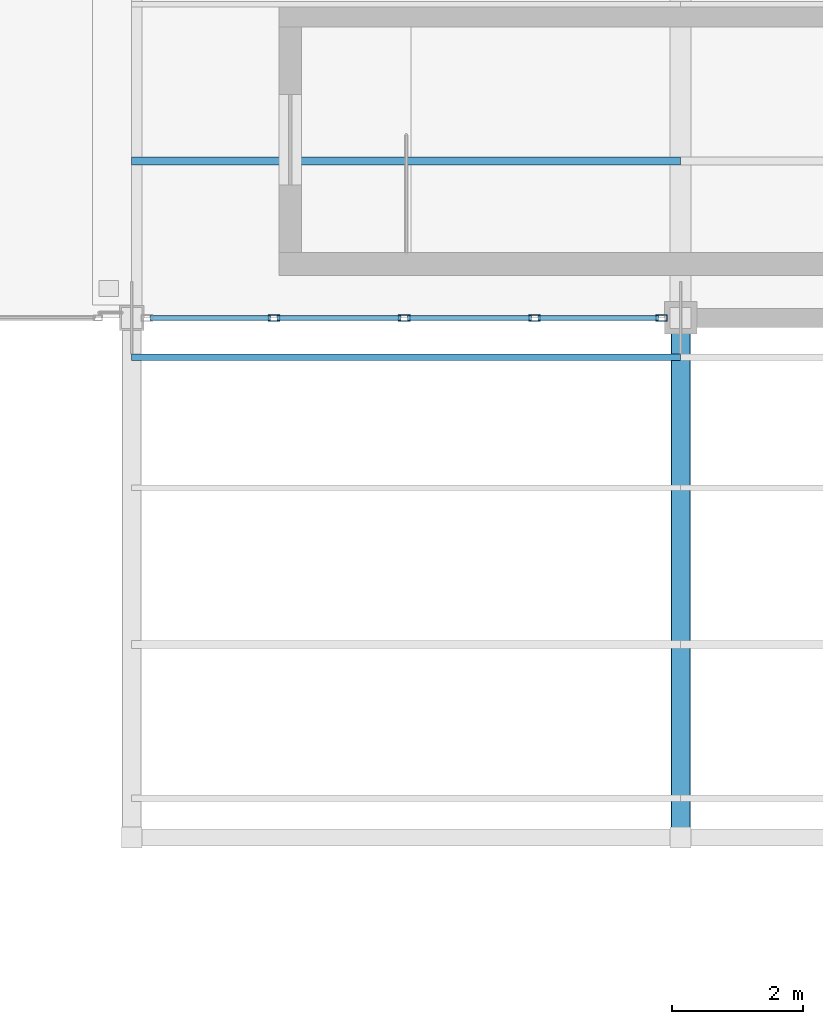
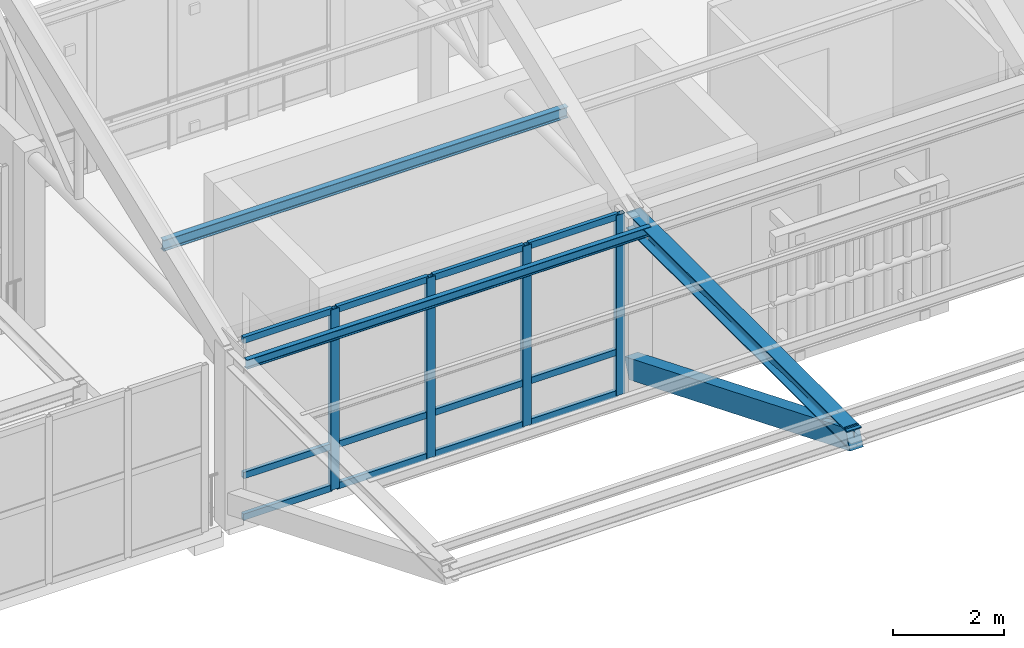
# One storey, part 62 of 217: 20 members, 1 element without a shape of its own.
"""IFC4 building model written with IfcOpenShell, lengths in metres."""

from ifc_helpers import new_model, si_unit, direction, frame, origin, origin_2d, place, context, subcontext, project, spatial, rectangle, hollow_rectangle, i_section, extrude, material, layer, layer_set, material_profile, profile_set, type_object, element, aggregate, save


model = new_model("IFC4")

# Units and contexts
model_context = context("Model", 3, precision=1e-05, world=origin(), true_north=direction((0.0, 1.0)))
body_context = subcontext(model_context, "Body", "Model", "MODEL_VIEW")
ifc_project = project(units=[si_unit("LENGTHUNIT", "METRE"), si_unit("AREAUNIT", "SQUARE_METRE"), si_unit("VOLUMEUNIT", "CUBIC_METRE"), si_unit("PLANEANGLEUNIT", "RADIAN"), si_unit("MASSUNIT", "GRAM", prefix="KILO")], contexts=[model_context])

# Site, building, storey
site_placement = place(None, origin())
site = spatial("IfcSite", under=ifc_project, at=site_placement, CompositionType="ELEMENT")
building_placement = place(site_placement, origin())
building = spatial("IfcBuilding", under=site, at=building_placement, Name="Mazaris Harbour Polytechnic", CompositionType="ELEMENT")
storey_placement = place(building_placement, frame((0.0, 0.0, 9.60009765625)))
storey = spatial("IfcBuildingStorey", under=building, at=storey_placement, Name="L02", CompositionType="ELEMENT", Elevation=9.60009765625)

# Curtain wall, members
ifc_material_1 = material(Name="Anodised Bronze Aluminium and Low-E Glass", Category="aluminium")
ifc_layer = layer(ifc_material_1, 0.14990234375, Name="Anodised Bronze Aluminium and Low-E Glass")
ifc_layer_set = layer_set([ifc_layer], Name="Anodised Bronze Aluminium and Low-E Glass")
curtain_wall_type = type_object("IfcCurtainWallType", Name="Workshop Clerestory Curtain Wall", PredefinedType="NOTDEFINED", material=ifc_layer_set)
curtain_wall_placement = place(storey_placement, origin())
curtain_wall = element("IfcCurtainWall", 1, at=curtain_wall_placement, inside=storey, type_object=curtain_wall_type, Name="V1 L02 Curtain Wall 25", PredefinedType="NOTDEFINED")
ifc_material_2 = material(Name="Anodised Bronze Steel S355", Category="steel")
ifc_material_profile_1 = material_profile(ifc_material_2, hollow_rectangle(XDim=0.10009765625, YDim=0.179931640625, WallThickness=0.008056640625, at=origin_2d()), Name="RHS 100x180x8.0")
ifc_profile_set_1 = profile_set([ifc_material_profile_1], Name="Anodised Bronze Steel S355")
member_type_1 = type_object("IfcMemberType", Name="Curtain Mullion RHS100x180", PredefinedType="MULLION", material=ifc_profile_set_1)
member_1_placement = place(storey_placement, frame((62.10791015625, 75.60009765625, 0.0), z_axis=(0.0, 0.0, 1.0), x_axis=(0.0, -1.0, 0.0)))
member_1 = element("IfcMember", 2, at=member_1_placement, type_object=member_type_1, Name="CW-04 mullion 1", PredefinedType="MULLION", context=body_context, shape_type="SweptSolid", body=[
    extrude(hollow_rectangle(XDim=0.10009765625, YDim=0.179931640625, WallThickness=0.008056640625, at=origin_2d()), origin(), (0.0, 0.0, 1.0), 3.9599609375),
])
member_2_placement = place(storey_placement, frame((60.1640625, 75.60009765625, 0.0), z_axis=(0.0, 0.0, 1.0), x_axis=(0.0, -1.0, 0.0)))
member_2 = element("IfcMember", 3, at=member_2_placement, type_object=member_type_1, Name="CW-04 mullion 2", PredefinedType="MULLION", context=body_context, shape_type="SweptSolid", body=[
    extrude(hollow_rectangle(XDim=0.10009765625, YDim=0.179931640625, WallThickness=0.008056640625, at=origin_2d()), origin(), (0.0, 0.0, 1.0), 3.9599609375),
])
member_3_placement = place(storey_placement, frame((58.169921875, 75.60009765625, 0.0), z_axis=(0.0, 0.0, 1.0), x_axis=(0.0, -1.0, 0.0)))
member_3 = element("IfcMember", 4, at=member_3_placement, type_object=member_type_1, Name="CW-04 mullion 3", PredefinedType="MULLION", context=body_context, shape_type="SweptSolid", body=[
    extrude(hollow_rectangle(XDim=0.10009765625, YDim=0.179931640625, WallThickness=0.008056640625, at=origin_2d()), origin(), (0.0, 0.0, 1.0), 3.9599609375),
])
member_4_placement = place(storey_placement, frame((56.176025390625, 75.60009765625, 0.0), z_axis=(0.0, 0.0, 1.0), x_axis=(0.0, -1.0, 0.0)))
member_4 = element("IfcMember", 5, at=member_4_placement, type_object=member_type_1, Name="CW-04 mullion 4", PredefinedType="MULLION", context=body_context, shape_type="SweptSolid", body=[
    extrude(hollow_rectangle(XDim=0.10009765625, YDim=0.179931640625, WallThickness=0.008056640625, at=origin_2d()), origin(), (0.0, 0.0, 1.0), 3.9599609375),
])
ifc_material_3 = material(Name="Anodised Bronze Steel S355", Category="steel")
ifc_material_profile_2 = material_profile(ifc_material_3, hollow_rectangle(XDim=0.080078125, YDim=0.139892578125, WallThickness=0.00634765625, at=origin_2d()), Name="RHS 80x140x6.3")
ifc_profile_set_2 = profile_set([ifc_material_profile_2], Name="Anodised Bronze Steel S355")
member_type_2 = type_object("IfcMemberType", Name="Curtain Transom RHS80x140", PredefinedType="USERDEFINED", material=ifc_profile_set_2)
member_5_placement = place(storey_placement, frame((62.05810546875, 75.60009765625, 0.039794921875), z_axis=(-1.0, 0.0, 0.0), x_axis=(0.0, -1.0, 0.0)))
member_5 = element("IfcMember", 6, at=member_5_placement, type_object=member_type_2, Name="CW-04 transom 1.1", ObjectType="TRANSOM", PredefinedType="USERDEFINED", context=body_context, shape_type="SweptSolid", body=[
    extrude(hollow_rectangle(XDim=0.080078125, YDim=0.139892578125, WallThickness=0.00634765625, at=origin_2d()), origin(), (0.0, 0.0, 1.0), 1.843994140625),
])
member_6_placement = place(storey_placement, frame((62.05810546875, 75.60009765625, 0.949951171875), z_axis=(-1.0, 0.0, 0.0), x_axis=(0.0, -1.0, 0.0)))
member_6 = element("IfcMember", 7, at=member_6_placement, type_object=member_type_2, Name="CW-04 transom 1.2", ObjectType="TRANSOM", PredefinedType="USERDEFINED", context=body_context, shape_type="SweptSolid", body=[
    extrude(hollow_rectangle(XDim=0.080078125, YDim=0.139892578125, WallThickness=0.00634765625, at=origin_2d()), origin(), (0.0, 0.0, 1.0), 1.843994140625),
])
member_7_placement = place(storey_placement, frame((62.05810546875, 75.60009765625, 3.919921875), z_axis=(-1.0, 0.0, 0.0), x_axis=(0.0, -1.0, 0.0)))
member_7 = element("IfcMember", 8, at=member_7_placement, type_object=member_type_2, Name="CW-04 transom 1.3", ObjectType="TRANSOM", PredefinedType="USERDEFINED", context=body_context, shape_type="SweptSolid", body=[
    extrude(hollow_rectangle(XDim=0.080078125, YDim=0.139892578125, WallThickness=0.00634765625, at=origin_2d()), origin(), (0.0, 0.0, 1.0), 1.843994140625),
])
member_8_placement = place(storey_placement, frame((60.114013671875, 75.60009765625, 0.039794921875), z_axis=(-1.0, 0.0, 0.0), x_axis=(0.0, -1.0, 0.0)))
member_8 = element("IfcMember", 9, at=member_8_placement, type_object=member_type_2, Name="CW-04 transom 2.1", ObjectType="TRANSOM", PredefinedType="USERDEFINED", context=body_context, shape_type="SweptSolid", body=[
    extrude(hollow_rectangle(XDim=0.080078125, YDim=0.139892578125, WallThickness=0.00634765625, at=origin_2d()), origin(), (0.0, 0.0, 1.0), 1.89404296875),
])
member_9_placement = place(storey_placement, frame((60.114013671875, 75.60009765625, 0.949951171875), z_axis=(-1.0, 0.0, 0.0), x_axis=(0.0, -1.0, 0.0)))
member_9 = element("IfcMember", 10, at=member_9_placement, type_object=member_type_2, Name="CW-04 transom 2.2", ObjectType="TRANSOM", PredefinedType="USERDEFINED", context=body_context, shape_type="SweptSolid", body=[
    extrude(hollow_rectangle(XDim=0.080078125, YDim=0.139892578125, WallThickness=0.00634765625, at=origin_2d()), origin(), (0.0, 0.0, 1.0), 1.89404296875),
])
member_10_placement = place(storey_placement, frame((60.114013671875, 75.60009765625, 3.919921875), z_axis=(-1.0, 0.0, 0.0), x_axis=(0.0, -1.0, 0.0)))
member_10 = element("IfcMember", 11, at=member_10_placement, type_object=member_type_2, Name="CW-04 transom 2.3", ObjectType="TRANSOM", PredefinedType="USERDEFINED", context=body_context, shape_type="SweptSolid", body=[
    extrude(hollow_rectangle(XDim=0.080078125, YDim=0.139892578125, WallThickness=0.00634765625, at=origin_2d()), origin(), (0.0, 0.0, 1.0), 1.89404296875),
])
member_11_placement = place(storey_placement, frame((58.1201171875, 75.60009765625, 0.039794921875), z_axis=(-1.0, 0.0, 0.0), x_axis=(0.0, -1.0, 0.0)))
member_11 = element("IfcMember", 12, at=member_11_placement, type_object=member_type_2, Name="CW-04 transom 3.1", ObjectType="TRANSOM", PredefinedType="USERDEFINED", context=body_context, shape_type="SweptSolid", body=[
    extrude(hollow_rectangle(XDim=0.080078125, YDim=0.139892578125, WallThickness=0.00634765625, at=origin_2d()), origin(), (0.0, 0.0, 1.0), 1.89404296875),
])
member_12_placement = place(storey_placement, frame((58.1201171875, 75.60009765625, 0.949951171875), z_axis=(-1.0, 0.0, 0.0), x_axis=(0.0, -1.0, 0.0)))
member_12 = element("IfcMember", 13, at=member_12_placement, type_object=member_type_2, Name="CW-04 transom 3.2", ObjectType="TRANSOM", PredefinedType="USERDEFINED", context=body_context, shape_type="SweptSolid", body=[
    extrude(hollow_rectangle(XDim=0.080078125, YDim=0.139892578125, WallThickness=0.00634765625, at=origin_2d()), origin(), (0.0, 0.0, 1.0), 1.89404296875),
])
member_13_placement = place(storey_placement, frame((58.1201171875, 75.60009765625, 3.919921875), z_axis=(-1.0, 0.0, 0.0), x_axis=(0.0, -1.0, 0.0)))
member_13 = element("IfcMember", 14, at=member_13_placement, type_object=member_type_2, Name="CW-04 transom 3.3", ObjectType="TRANSOM", PredefinedType="USERDEFINED", context=body_context, shape_type="SweptSolid", body=[
    extrude(hollow_rectangle(XDim=0.080078125, YDim=0.139892578125, WallThickness=0.00634765625, at=origin_2d()), origin(), (0.0, 0.0, 1.0), 1.89404296875),
])
member_14_placement = place(storey_placement, frame((56.1259765625, 75.60009765625, 0.039794921875), z_axis=(-1.0, 0.0, 0.0), x_axis=(0.0, -1.0, 0.0)))
member_14 = element("IfcMember", 15, at=member_14_placement, type_object=member_type_2, Name="CW-04 transom 4.1", ObjectType="TRANSOM", PredefinedType="USERDEFINED", context=body_context, shape_type="SweptSolid", body=[
    extrude(hollow_rectangle(XDim=0.080078125, YDim=0.139892578125, WallThickness=0.00634765625, at=origin_2d()), origin(), (0.0, 0.0, 1.0), 1.843994140625),
])
member_15_placement = place(storey_placement, frame((56.1259765625, 75.60009765625, 0.949951171875), z_axis=(-1.0, 0.0, 0.0), x_axis=(0.0, -1.0, 0.0)))
member_15 = element("IfcMember", 16, at=member_15_placement, type_object=member_type_2, Name="CW-04 transom 4.2", ObjectType="TRANSOM", PredefinedType="USERDEFINED", context=body_context, shape_type="SweptSolid", body=[
    extrude(hollow_rectangle(XDim=0.080078125, YDim=0.139892578125, WallThickness=0.00634765625, at=origin_2d()), origin(), (0.0, 0.0, 1.0), 1.843994140625),
])
member_16_placement = place(storey_placement, frame((56.1259765625, 75.60009765625, 3.919921875), z_axis=(-1.0, 0.0, 0.0), x_axis=(0.0, -1.0, 0.0)))
member_16 = element("IfcMember", 17, at=member_16_placement, type_object=member_type_2, Name="CW-04 transom 4.3", ObjectType="TRANSOM", PredefinedType="USERDEFINED", context=body_context, shape_type="SweptSolid", body=[
    extrude(hollow_rectangle(XDim=0.080078125, YDim=0.139892578125, WallThickness=0.00634765625, at=origin_2d()), origin(), (0.0, 0.0, 1.0), 1.843994140625),
])
aggregate(curtain_wall, [member_1, member_2, member_3, member_4, member_5, member_6, member_7, member_8, member_9, member_10, member_11, member_12, member_13, member_14, member_15, member_16])

# Members
ifc_material_4 = material(Name="Glulam GL32h", Category="wood")
ifc_material_profile_3 = material_profile(ifc_material_4, rectangle(XDim=0.280029296875, YDim=0.43994140625, at=origin_2d()), Name="RECT280x440")
ifc_profile_set_3 = profile_set([ifc_material_profile_3], Name="Glulam GL32h")
member_type_3 = type_object("IfcMemberType", Name="Glulam Raking Strut 280x440", PredefinedType="BRACE", material=ifc_profile_set_3)
member_17_placement = place(storey_placement, frame((62.39990234375, 75.60009765625, 0.5), z_axis=(0.0, -0.925642918598, 0.378398186107), x_axis=(1.0, 0.0, 0.0)))
element("IfcMember", 18, at=member_17_placement, inside=storey, type_object=member_type_3, Name="Truss 2 South Eave Raking Strut", PredefinedType="BRACE", context=body_context, shape_type="SweptSolid", body=[
    extrude(rectangle(XDim=0.280029296875, YDim=0.43994140625, at=origin_2d()), origin(), (0.0, 0.0, 1.0), 8.5888671875),
])
ifc_material_5 = material(Name="Steel S355", Category="steel")
ifc_material_profile_4 = material_profile(ifc_material_5, i_section(OverallWidth=0.300048828125, OverallDepth=0.360107421875, WebThickness=0.012451171875, FlangeThickness=0.0224609375, FilletRadius=0.027099609375, at=origin_2d()), Name="HEB 360")
ifc_profile_set_4 = profile_set([ifc_material_profile_4], Name="Steel S355")
member_type_4 = type_object("IfcMemberType", Name="Steel Eave Cantilever HEB360", PredefinedType="CHORD", material=ifc_profile_set_4)
member_18_placement = place(storey_placement, frame((62.39990234375, 75.60009765625, 3.75), z_axis=(0.0, -1.0, 0.0), x_axis=(1.0, 0.0, 0.0)))
element("IfcMember", 19, at=member_18_placement, inside=storey, type_object=member_type_4, Name="Truss 2 South Overhanging Eave Chord", PredefinedType="CHORD", context=body_context, shape_type="SweptSolid", body=[
    extrude(i_section(OverallWidth=0.300048828125, OverallDepth=0.360107421875, WebThickness=0.012451171875, FlangeThickness=0.0224609375, FilletRadius=0.027099609375, at=origin_2d()), origin(), (0.0, 0.0, 1.0), 7.9501953125),
])
ifc_material_6 = material(Name="Steel S355", Category="steel")
ifc_material_profile_5 = material_profile(ifc_material_6, i_section(OverallWidth=0.10009765625, OverallDepth=0.199951171875, WebThickness=0.005615234375, FlangeThickness=0.008544921875, FilletRadius=0.011962890625, at=origin_2d()), Name="IPE 200")
ifc_profile_set_5 = profile_set([ifc_material_profile_5], Name="Steel S355")
member_type_5 = type_object("IfcMemberType", Name="Steel Purlin IPE200 Exterior", PredefinedType="PURLIN", material=ifc_profile_set_5)
member_19_placement = place(storey_placement, frame((54.0, 75.0, 3.85498046875), z_axis=(1.0, 0.0, 0.0), x_axis=(0.0, 1.0, 0.0)))
element("IfcMember", 20, at=member_19_placement, inside=storey, type_object=member_type_5, Name="V1 Roof Purlin S-4", PredefinedType="PURLIN", context=body_context, shape_type="SweptSolid", body=[
    extrude(i_section(OverallWidth=0.10009765625, OverallDepth=0.199951171875, WebThickness=0.005615234375, FlangeThickness=0.008544921875, FilletRadius=0.011962890625, at=origin_2d()), origin(), (0.0, 0.0, 1.0), 8.39990234375),
])
ifc_material_7 = material(Name="Steel S355", Category="steel")
ifc_material_profile_6 = material_profile(ifc_material_7, i_section(OverallWidth=0.1201171875, OverallDepth=0.239990234375, WebThickness=0.006103515625, FlangeThickness=0.009765625, FilletRadius=0.014892578125, at=origin_2d()), Name="IPE 240")
ifc_profile_set_6 = profile_set([ifc_material_profile_6], Name="Steel S355")
member_type_6 = type_object("IfcMemberType", Name="Steel Purlin IPE240", PredefinedType="PURLIN", material=ifc_profile_set_6)
member_20_placement = place(storey_placement, frame((54.0, 78.0, 4.651123046875), z_axis=(1.0, 0.0, 0.0), x_axis=(0.0, 1.0, 0.0)))
element("IfcMember", 21, at=member_20_placement, inside=storey, type_object=member_type_6, Name="V1 Roof Purlin S-5", PredefinedType="PURLIN", context=body_context, shape_type="SweptSolid", body=[
    extrude(i_section(OverallWidth=0.1201171875, OverallDepth=0.239990234375, WebThickness=0.006103515625, FlangeThickness=0.009765625, FilletRadius=0.014892578125, at=origin_2d()), origin(), (0.0, 0.0, 1.0), 8.39990234375),
])

save(model, "model.ifc")
